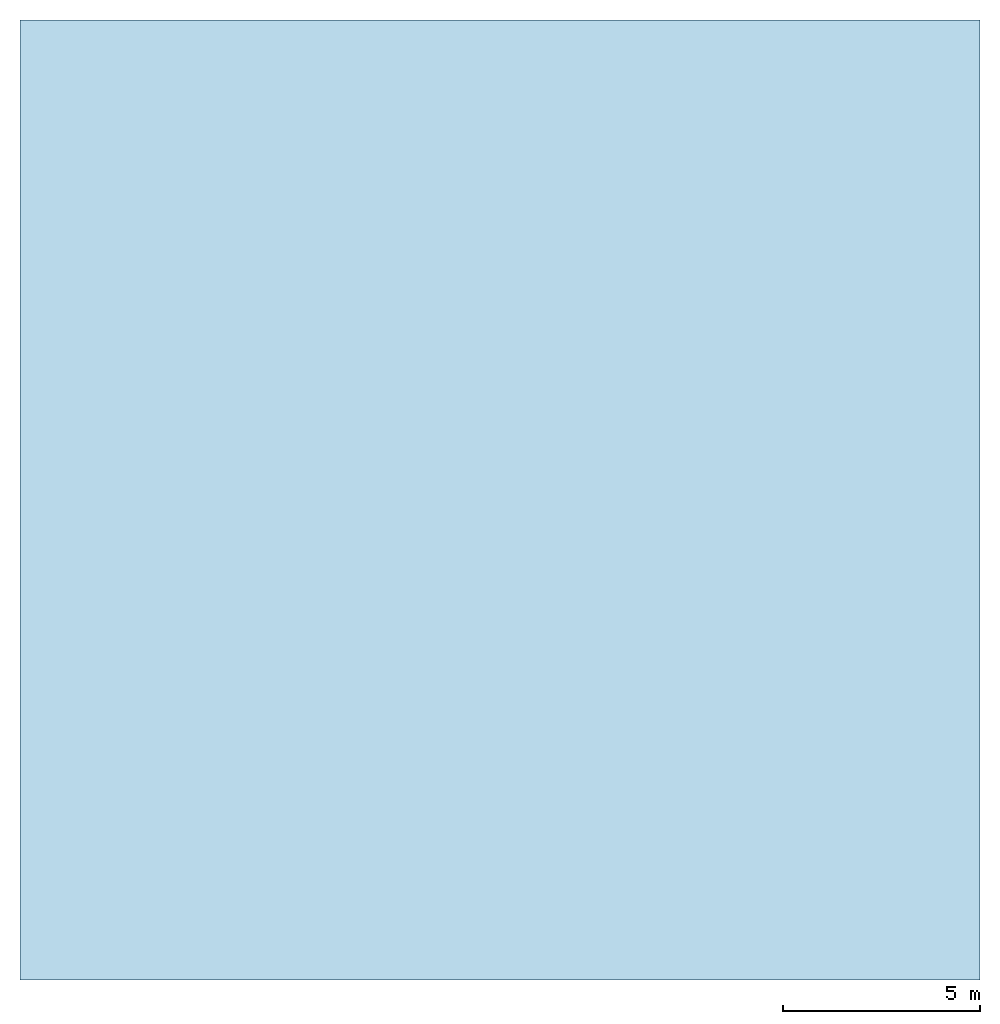
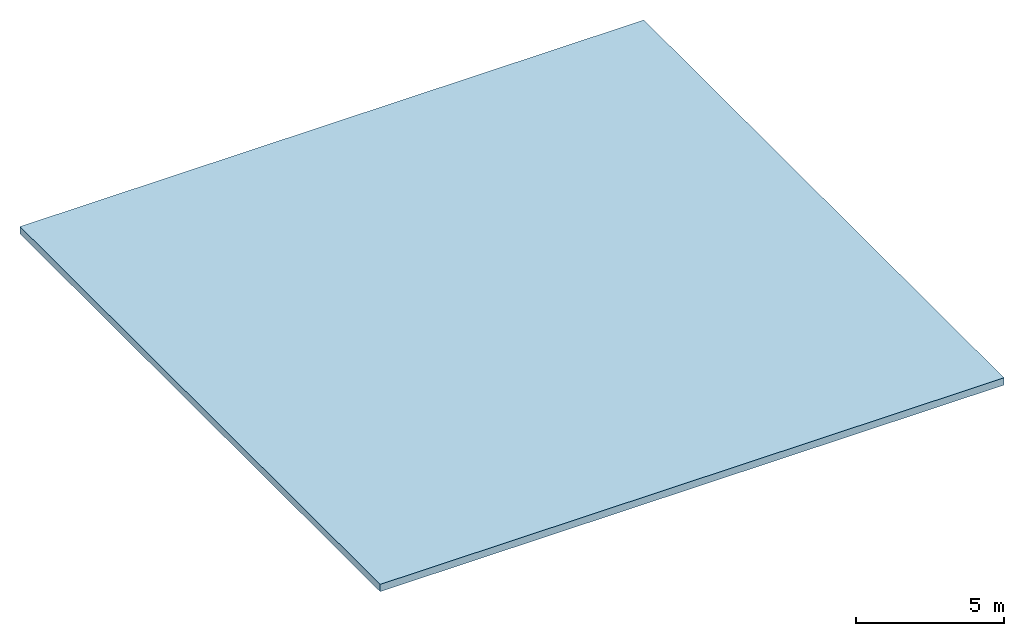
# One storey: 1 slab.
"""IFC4 building model written with IfcOpenShell, lengths in metres."""

from ifc_helpers import new_model, si_unit, direction, frame, origin, place, context, subcontext, project, spatial, polyline, outline, extrude, material, layer, layer_set, type_object, element, save


model = new_model("IFC4")

# Units and contexts
model_context = context("Model", 3, precision=1e-05, world=origin(), true_north=direction((0.0, 1.0)))
body_context = subcontext(model_context, "Body", "Model", "MODEL_VIEW")
ifc_project = project(units=[si_unit("LENGTHUNIT", "METRE"), si_unit("AREAUNIT", "SQUARE_METRE"), si_unit("VOLUMEUNIT", "CUBIC_METRE"), si_unit("PLANEANGLEUNIT", "RADIAN"), si_unit("MASSUNIT", "GRAM", prefix="KILO")], contexts=[model_context])

# Site, building, storey
site_placement = place(None, origin())
site = spatial("IfcSite", under=ifc_project, at=site_placement, CompositionType="ELEMENT")
building_placement = place(site_placement, origin())
building = spatial("IfcBuilding", under=site, at=building_placement, Name="Tessera Gate Towers", CompositionType="ELEMENT")
storey_placement = place(building_placement, frame((0.0, 0.0, 269.89990234375)))
storey = spatial("IfcBuildingStorey", under=building, at=storey_placement, Name="ROOF", CompositionType="ELEMENT", Elevation=269.89990234375)

# Slab
ifc_material = material(Name="Concrete C35/45", Category="concrete")
ifc_layer = layer(ifc_material, 0.300048828125)
ifc_layer_set = layer_set([ifc_layer], Name="ROOF SLAB 300")
slab_type = type_object("IfcSlabType", Name="ROOF SLAB 300", PredefinedType="ROOF", material=ifc_layer_set)
slab_placement = place(storey_placement, origin())
element("IfcSlab", 1, at=slab_placement, inside=storey, type_object=slab_type, Name="T1-CORE-ROOF", PredefinedType="ROOF", context=body_context, shape_type="SweptSolid", body=[
    extrude(outline(polyline([(30.5, 24.39990234375), (54.89990234375, 24.39990234375), (54.89990234375, 48.800048828125), (30.5, 48.800048828125), (30.5, 24.39990234375)])), origin(), (0.0, 0.0, 1.0), 0.300048828125),
])

save(model, "model.ifc")
